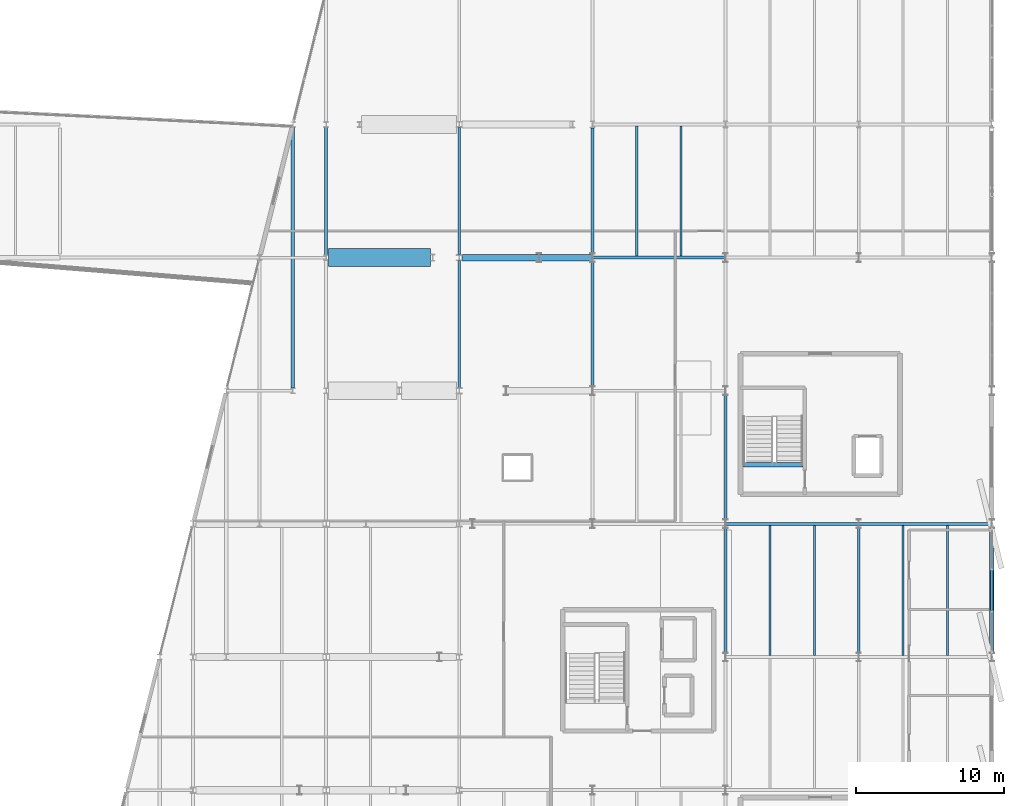
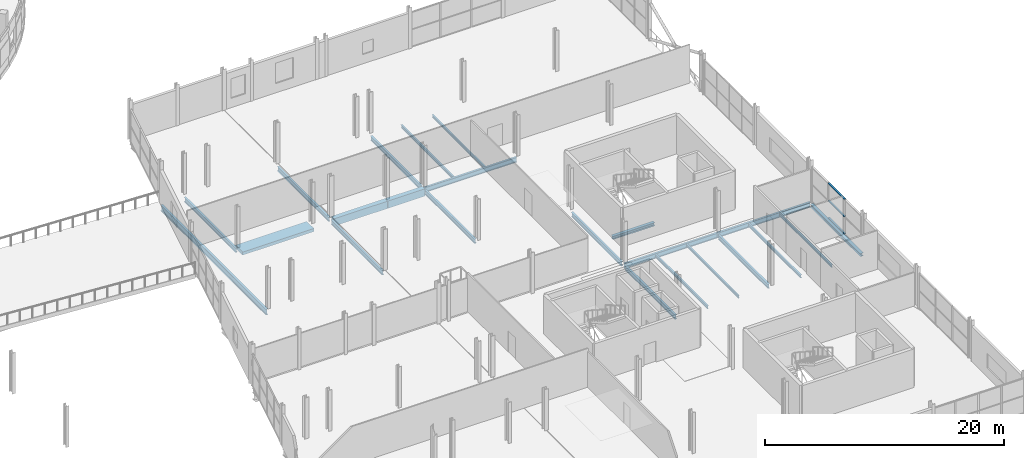
# One storey, part 91 of 135: 23 beams, 3 members, 1 element without a shape of its own.
"""IFC4 building model written with IfcOpenShell, lengths in metres."""

import ifcopenshell
import ifcopenshell.guid

model = None  # the IFC model being written
_history = None  # IfcOwnerHistory: only IFC2X3 demands one
_inside = {}  # id of a spatial element -> (the spatial element, [elements in it])
_under = {}  # id of a project, library or spatial element -> (it, [spatial elements below it])
_declared = {}  # id of a project -> (the project, [libraries it declares])
_typed = {}  # id of a type object -> (the type object, [elements of that type])
_made_of = {}  # id of a material, layer set ... -> (it, [elements and type objects made of it])


def new_model(schema):
    """Start an empty IFC model of exactly this schema.

    Asked for "IFC4X3", IfcOpenShell would pick the latest addendum, in which some entities
    have other attributes; the version numbers below select the first issue.
    IFC2X3 requires an IfcOwnerHistory on every rooted entity: one is made here for all.
    """
    global model, _history
    if schema == "IFC4X3":
        model = ifcopenshell.file(schema_version=(4, 3, 0, 0))
    else:
        model = ifcopenshell.file(schema=schema)
    _inside.clear()
    _under.clear()
    _declared.clear()
    _typed.clear()
    _made_of.clear()
    _history = None
    if model.schema == "IFC2X3":
        org = make("IfcOrganization", Name="unknown")
        user = make(
            "IfcPersonAndOrganization",
            ThePerson=make("IfcPerson", FamilyName="unknown"),
            TheOrganization=org,
        )
        app = make(
            "IfcApplication",
            ApplicationDeveloper=org,
            Version="unknown",
            ApplicationFullName="unknown",
            ApplicationIdentifier="unknown",
        )
        _history = make(
            "IfcOwnerHistory",
            OwningUser=user,
            OwningApplication=app,
            ChangeAction="ADDED",
            CreationDate=0,
        )
    return model


def make(cls, **values):
    """One entity of the class cls with the attributes given. An attribute that is None is left unset."""
    return model.create_entity(
        cls, **{name: value for name, value in values.items() if value is not None}
    )


def rooted(cls, **values):
    """An entity with a GlobalId (a new one), such as an element, a storey or a relation."""
    return make(cls, GlobalId=ifcopenshell.guid.new(), OwnerHistory=_history, **values)


def si_unit(unit_type, name, prefix=None):
    """IfcSIUnit, for example si_unit("LENGTHUNIT", "METRE", prefix="MILLI")."""
    return make("IfcSIUnit", UnitType=unit_type, Prefix=prefix, Name=name)


def assignment(units):
    """IfcUnitAssignment: the units of a project."""
    return None if units is None else make("IfcUnitAssignment", Units=units)


def point(xyz):
    """IfcCartesianPoint."""
    return None if xyz is None else make("IfcCartesianPoint", Coordinates=xyz)


def direction(xyz):
    """IfcDirection."""
    return None if xyz is None else make("IfcDirection", DirectionRatios=xyz)


def frame(location, z_axis=None, x_axis=None):
    """IfcAxis2Placement3D, a coordinate frame: its origin and axes. An axis left out is left unset."""
    return make(
        "IfcAxis2Placement3D",
        Location=point(location),
        Axis=direction(z_axis),
        RefDirection=direction(x_axis),
    )


def frame_2d(location, x_axis=None):
    """IfcAxis2Placement2D, a coordinate frame in the plane: its origin and x axis."""
    return make(
        "IfcAxis2Placement2D", Location=point(location), RefDirection=direction(x_axis)
    )


def origin():
    """The frame at (0, 0, 0) with its axes left unset."""
    return frame((0.0, 0.0, 0.0))


def origin_2d():
    """The frame at (0, 0) in the plane with its x axis left unset."""
    return frame_2d((0.0, 0.0))


def place(relative_to, where):
    """IfcLocalPlacement: puts the frame where relative to a parent placement (None: the world)."""
    return make(
        "IfcLocalPlacement", PlacementRelTo=relative_to, RelativePlacement=where
    )


def context(
    kind, dimensions, precision=None, world=None, true_north=None, identifier=None
):
    """IfcGeometricRepresentationContext, for example the 3D "Model" context."""
    return make(
        "IfcGeometricRepresentationContext",
        ContextIdentifier=identifier,
        ContextType=kind,
        CoordinateSpaceDimension=dimensions,
        Precision=precision,
        WorldCoordinateSystem=world,
        TrueNorth=true_north,
    )


def subcontext(parent, identifier, kind, view, scale=None):
    """IfcGeometricRepresentationSubContext, for example "Body" below "Model"."""
    return make(
        "IfcGeometricRepresentationSubContext",
        ContextIdentifier=identifier,
        ContextType=kind,
        ParentContext=parent,
        TargetScale=scale,
        TargetView=view,
    )


def project(units=None, contexts=None):
    """IfcProject with its units and contexts."""
    return rooted(
        "IfcProject",
        Name="project",
        RepresentationContexts=contexts,
        UnitsInContext=assignment(units),
    )


def spatial(cls, under=None, at=None, **own):
    """A site, building, storey or space (cls), placed at a placement, below another one or the project."""
    s = rooted(cls, ObjectPlacement=at, **own)
    if under is not None:
        _under.setdefault(under.id(), (under, []))[1].append(s)
    return s


def profile(cls, at=None, kind="AREA", **sizes):
    """A parametric profile (cls). Its sizes go by their IFC names, for example OverallWidth=200.0."""
    return make(cls, ProfileType=kind, Position=at, **sizes)


def rectangle(**sizes):
    """IfcRectangleProfileDef."""
    return profile("IfcRectangleProfileDef", **sizes)


def hollow_rectangle(**sizes):
    """IfcRectangleHollowProfileDef."""
    return profile("IfcRectangleHollowProfileDef", **sizes)


def i_section(**sizes):
    """IfcIShapeProfileDef."""
    return profile("IfcIShapeProfileDef", **sizes)


def extrude(swept, where, along, depth):
    """IfcExtrudedAreaSolid: the profile swept, set in the frame where, extruded along a direction by depth."""
    return make(
        "IfcExtrudedAreaSolid",
        SweptArea=swept,
        Position=where,
        ExtrudedDirection=direction(along),
        Depth=depth,
    )


def shape(context_of_items, identifier, shape_type, items):
    """IfcShapeRepresentation: the items that make up one representation, for example the "Body"."""
    return make(
        "IfcShapeRepresentation",
        ContextOfItems=context_of_items,
        RepresentationIdentifier=identifier,
        RepresentationType=shape_type,
        Items=items,
    )


def material(Name=None, Category=None):
    """IfcMaterial."""
    return make("IfcMaterial", Name=Name, Category=Category)


def layer(
    of_material, thickness, ventilated=None, Name=None, Category=None, Priority=None
):
    """IfcMaterialLayer: one layer of a wall or slab, of a material (None: an air gap)."""
    return make(
        "IfcMaterialLayer",
        Material=of_material,
        LayerThickness=thickness,
        IsVentilated=ventilated,
        Name=Name,
        Category=Category,
        Priority=Priority,
    )


def layer_set(layers, Name=None):
    """IfcMaterialLayerSet."""
    return make("IfcMaterialLayerSet", MaterialLayers=layers, LayerSetName=Name)


def material_profile(
    of_material, cross_section, Name=None, Category=None, Priority=None
):
    """IfcMaterialProfile: a cross section and its material."""
    return make(
        "IfcMaterialProfile",
        Name=Name,
        Material=of_material,
        Profile=cross_section,
        Priority=Priority,
        Category=Category,
    )


def profile_set(profiles, Name=None, composite=None):
    """IfcMaterialProfileSet."""
    return make(
        "IfcMaterialProfileSet",
        Name=Name,
        MaterialProfiles=profiles,
        CompositeProfile=composite,
    )


def made_of(thing, what):
    """Note that an element or type object is made of a material, layer set ...; save() writes the relation."""
    if what is not None:
        _made_of.setdefault(what.id(), (what, []))[1].append(thing)
    return thing


def type_object(cls, material=None, **own):
    """A type object (cls), such as IfcWallType, which elements share."""
    return made_of(rooted(cls, **own), material)


def element(
    cls,
    number,
    at=None,
    inside=None,
    cuts=None,
    type_object=None,
    material=None,
    context=None,
    identifier="Body",
    shape_type=None,
    held_by="IfcProductDefinitionShape",
    body=None,
    shapes=None,
    **own,
):
    """One element of the class cls, such as IfcWall. Its Tag is "e" and its number.

    at: its placement. inside: the storey or other place that contains it. cuts: it is an
    opening in that element (IfcRelVoidsElement). A single representation is given by context,
    identifier, shape_type and body (its items); several are given by shapes. held_by: the class
    of the entity that holds the representations. save() writes the other relations.
    """
    e = rooted(cls, Tag="e%d" % number, ObjectPlacement=at, **own)
    if body is not None:
        shapes = [shape(context, identifier, shape_type, body)]
    if shapes is not None:
        e.Representation = make(held_by, Representations=shapes)
    if inside is not None:
        _inside.setdefault(inside.id(), (inside, []))[1].append(e)
    if cuts is not None:
        rooted(
            "IfcRelVoidsElement", RelatingBuildingElement=cuts, RelatedOpeningElement=e
        )
    if type_object is not None:
        _typed.setdefault(type_object.id(), (type_object, []))[1].append(e)
    return made_of(e, material)


def aggregate(whole, parts):
    """IfcRelAggregates: a whole, such as a stair, and the parts it consists of."""
    return rooted("IfcRelAggregates", RelatingObject=whole, RelatedObjects=parts)


def save(model, path):
    """Write the relations noted so far, then the file.

    IfcRelAggregates (storeys below a building ...), IfcRelContainedInSpatialStructure (elements
    in a storey), IfcRelDefinesByType, IfcRelAssociatesMaterial and IfcRelDeclares: one each for
    every whole, place, type object, material and project.
    """
    for whole, parts in _under.values():
        aggregate(whole, parts)
    for where, things in _inside.values():
        rooted(
            "IfcRelContainedInSpatialStructure",
            RelatedElements=things,
            RelatingStructure=where,
        )
    for kind, things in _typed.values():
        rooted("IfcRelDefinesByType", RelatedObjects=things, RelatingType=kind)
    for what, things in _made_of.values():
        rooted("IfcRelAssociatesMaterial", RelatedObjects=things, RelatingMaterial=what)
    for by, libraries in _declared.values():
        rooted("IfcRelDeclares", RelatingContext=by, RelatedDefinitions=libraries)
    model.write(path)


model = new_model("IFC4")

# Units and contexts
model_context = context("Model", 3, precision=1e-05, world=origin(), true_north=direction((0.0, 1.0)))
body_context = subcontext(model_context, "Body", "Model", "MODEL_VIEW")
ifc_project = project(units=[si_unit("LENGTHUNIT", "METRE"), si_unit("AREAUNIT", "SQUARE_METRE"), si_unit("VOLUMEUNIT", "CUBIC_METRE"), si_unit("PLANEANGLEUNIT", "RADIAN"), si_unit("MASSUNIT", "GRAM", prefix="KILO")], contexts=[model_context])

# Site, building, storey
site_placement = place(None, origin())
site = spatial("IfcSite", under=ifc_project, at=site_placement, CompositionType="ELEMENT")
building_placement = place(site_placement, origin())
building = spatial("IfcBuilding", under=site, at=building_placement, Name="Deido Ridge Mobility Hub", CompositionType="ELEMENT")
storey_placement = place(building_placement, frame((0.0, 0.0, 4.199951171875)))
storey = spatial("IfcBuildingStorey", under=building, at=storey_placement, Name="L01", CompositionType="ELEMENT", Elevation=4.199951171875)

# Beams
ifc_material_1 = material(Name="Steel S355J2 EN 10025-2", Category="steel")
ifc_material_profile_1 = material_profile(ifc_material_1, i_section(OverallWidth=0.300048828125, OverallDepth=0.330078125, WebThickness=0.009521484375, FlangeThickness=0.0166015625, FilletRadius=0.027099609375, at=origin_2d()), Name="HEA 340")
ifc_profile_set_1 = profile_set([ifc_material_profile_1], Name="Steel S355J2 EN 10025-2")
beam_type_1 = type_object("IfcBeamType", Name="BM-HEA340", PredefinedType="BEAM", material=ifc_profile_set_1)
beam_1_placement = place(storey_placement, frame((163.16259765625, 40.0, -0.4150390625), z_axis=(1.0, 0.0, 0.0), x_axis=(0.0, 1.0, 0.0)))
element("IfcBeam", 1, at=beam_1_placement, inside=storey, type_object=beam_type_1, Name="C2 stair landing trimmer beam B6", PredefinedType="BEAM", context=body_context, shape_type="SweptSolid", body=[
    extrude(i_section(OverallWidth=0.300048828125, OverallDepth=0.330078125, WebThickness=0.009521484375, FlangeThickness=0.0166015625, FilletRadius=0.027099609375, at=origin_2d()), origin(), (0.0, 0.0, 1.0), 4.072509765625),
])
ifc_material_profile_2 = material_profile(ifc_material_1, i_section(OverallWidth=0.18994140625, OverallDepth=0.449951171875, WebThickness=0.009521484375, FlangeThickness=0.0146484375, FilletRadius=0.02099609375, at=origin_2d()), Name="IPE 450")
ifc_profile_set_2 = profile_set([ifc_material_profile_2], Name="Steel S355J2 EN 10025-2")
beam_type_2 = type_object("IfcBeamType", Name="BM-IPE450", PredefinedType="BEAM", material=ifc_profile_set_2)
beam_2_placement = place(storey_placement, frame((135.0, 54.179931640625, -0.474853515625), z_axis=(0.0, 1.0, 0.0), x_axis=(-1.0, 0.0, 0.0)))
element("IfcBeam", 2, at=beam_2_placement, inside=storey, type_object=beam_type_2, Name="Floor beam B4", PredefinedType="BEAM", context=body_context, shape_type="SweptSolid", body=[
    extrude(i_section(OverallWidth=0.18994140625, OverallDepth=0.449951171875, WebThickness=0.009521484375, FlangeThickness=0.0146484375, FilletRadius=0.02099609375, at=origin_2d()), origin(), (0.0, 0.0, 1.0), 8.64013671875),
])
for number, where, z_axis, x_axis, name in (
    (3, (144.0, 45.196533203125, -0.474853515625), (0.0, 1.0, 0.0), (-1.0, 0.0, 0.0), "Floor beam B4"),
    (4, (144.0, 54.196533203125, -0.474853515625), (0.0, 1.0, 0.0), (-1.0, 0.0, 0.0), "Floor beam B4"),
):
    element("IfcBeam", number, at=place(storey_placement, frame(where, z_axis=z_axis, x_axis=x_axis)), inside=storey, type_object=beam_type_2, Name=name, PredefinedType="BEAM", context=body_context, shape_type="SweptSolid", body=[
        extrude(i_section(OverallWidth=0.18994140625, OverallDepth=0.449951171875, WebThickness=0.009521484375, FlangeThickness=0.0146484375, FilletRadius=0.02099609375, at=origin_2d()), origin(), (0.0, 0.0, 1.0), 8.60693359375),
    ])
beam_3_placement = place(storey_placement, frame((153.0, 45.300048828125, -0.474853515625), z_axis=(0.0, 1.0, 0.0), x_axis=(-1.0, 0.0, 0.0)))
element("IfcBeam", 5, at=beam_3_placement, inside=storey, type_object=beam_type_2, Name="Floor beam B4", PredefinedType="BEAM", context=body_context, shape_type="SweptSolid", body=[
    extrude(i_section(OverallWidth=0.18994140625, OverallDepth=0.449951171875, WebThickness=0.009521484375, FlangeThickness=0.0146484375, FilletRadius=0.02099609375, at=origin_2d()), origin(), (0.0, 0.0, 1.0), 8.39990234375),
])
beam_4_placement = place(storey_placement, frame((153.0, 54.300048828125, -0.474853515625), z_axis=(0.0, 1.0, 0.0), x_axis=(-1.0, 0.0, 0.0)))
element("IfcBeam", 6, at=beam_4_placement, inside=storey, type_object=beam_type_2, Name="Floor beam B4", PredefinedType="BEAM", context=body_context, shape_type="SweptSolid", body=[
    extrude(i_section(OverallWidth=0.18994140625, OverallDepth=0.449951171875, WebThickness=0.009521484375, FlangeThickness=0.0146484375, FilletRadius=0.02099609375, at=origin_2d()), origin(), (0.0, 0.0, 1.0), 8.474853515625),
])
for number, where, z_axis, x_axis, name in (
    (7, (162.0, 27.300048828125, -0.474853515625), (0.0, 1.0, 0.0), (-1.0, 0.0, 0.0), "Floor beam B4"),
    (8, (162.0, 36.300048828125, -0.474853515625), (0.0, 1.0, 0.0), (-1.0, 0.0, 0.0), "Floor beam B4"),
    (9, (171.0, 27.300048828125, -0.474853515625), (0.0, 1.0, 0.0), (-1.0, 0.0, 0.0), "Floor beam B4"),
):
    element("IfcBeam", number, at=place(storey_placement, frame(where, z_axis=z_axis, x_axis=x_axis)), inside=storey, type_object=beam_type_2, Name=name, PredefinedType="BEAM", context=body_context, shape_type="SweptSolid", body=[
        extrude(i_section(OverallWidth=0.18994140625, OverallDepth=0.449951171875, WebThickness=0.009521484375, FlangeThickness=0.0146484375, FilletRadius=0.02099609375, at=origin_2d()), origin(), (0.0, 0.0, 1.0), 8.39990234375),
    ])
ifc_material_profile_3 = material_profile(ifc_material_1, i_section(OverallWidth=0.199951171875, OverallDepth=0.5, WebThickness=0.01025390625, FlangeThickness=0.01611328125, FilletRadius=0.02099609375, at=origin_2d()), Name="IPE 500")
ifc_profile_set_3 = profile_set([ifc_material_profile_3], Name="Steel S355J2 EN 10025-2")
beam_type_3 = type_object("IfcBeamType", Name="BM-IPE500", PredefinedType="BEAM", material=ifc_profile_set_3)
for number, where, z_axis, x_axis, name in (
    (10, (162.0078125, 36.0, -0.5), (1.0, 0.0, 0.0), (0.0, 1.0, 0.0), "Floor beam B3"),
    (11, (171.0078125, 36.0, -0.5), (1.0, 0.0, 0.0), (0.0, 1.0, 0.0), "Floor beam B3"),
    (12, (153.0078125, 54.0, -0.5), (1.0, 0.0, 0.0), (0.0, 1.0, 0.0), "Floor beam B3"),
):
    element("IfcBeam", number, at=place(storey_placement, frame(where, z_axis=z_axis, x_axis=x_axis)), inside=storey, type_object=beam_type_3, Name=name, PredefinedType="BEAM", context=body_context, shape_type="SweptSolid", body=[
        extrude(i_section(OverallWidth=0.199951171875, OverallDepth=0.5, WebThickness=0.01025390625, FlangeThickness=0.01611328125, FilletRadius=0.02099609375, at=origin_2d()), origin(), (0.0, 0.0, 1.0), 8.984375),
    ])
ifc_material_profile_4 = material_profile(ifc_material_1, i_section(OverallWidth=0.219970703125, OverallDepth=0.60009765625, WebThickness=0.011962890625, FlangeThickness=0.01904296875, FilletRadius=0.02392578125, at=origin_2d()), Name="IPE 600")
ifc_profile_set_4 = profile_set([ifc_material_profile_4], Name="Steel S355J2 EN 10025-2")
beam_type_4 = type_object("IfcBeamType", Name="BM-IPE600", PredefinedType="BEAM", material=ifc_profile_set_4)
beam_5_placement = place(storey_placement, frame((132.75, 45.179931640625, -0.550048828125), z_axis=(0.0, 1.0, 0.0), x_axis=(-1.0, 0.0, 0.0)))
element("IfcBeam", 13, at=beam_5_placement, inside=storey, type_object=beam_type_4, Name="Floor beam B1", PredefinedType="BEAM", context=body_context, shape_type="SweptSolid", body=[
    extrude(i_section(OverallWidth=0.219970703125, OverallDepth=0.60009765625, WebThickness=0.011962890625, FlangeThickness=0.01904296875, FilletRadius=0.02392578125, at=origin_2d()), origin(), (0.0, 0.0, 1.0), 17.64013671875),
])
ifc_material_2 = material(Name="Concrete C40/50", Category="concrete")
ifc_material_profile_5 = material_profile(ifc_material_2, rectangle(XDim=0.449951171875, YDim=0.75, at=origin_2d()), Name="RC BEAM 450x750")
ifc_profile_set_5 = profile_set([ifc_material_profile_5], Name="Concrete C40/50")
beam_type_5 = type_object("IfcBeamType", Name="BM-RC450X750", PredefinedType="BEAM", material=ifc_profile_set_5)
beam_6_placement = place(storey_placement, frame((144.199462890625, 54.0, -0.625), z_axis=(1.0, 0.0, 0.0), x_axis=(0.0, 1.0, 0.0)))
element("IfcBeam", 14, at=beam_6_placement, inside=storey, type_object=beam_type_5, Name="Concrete plant girder RCB1", PredefinedType="BEAM", context=body_context, shape_type="SweptSolid", body=[
    extrude(rectangle(XDim=0.449951171875, YDim=0.75, at=origin_2d()), origin(), (0.0, 0.0, 1.0), 5.19287109375),
])
beam_7_placement = place(storey_placement, frame((149.40771484375, 54.0, -0.625), z_axis=(1.0, 0.0, 0.0), x_axis=(0.0, 1.0, 0.0)))
element("IfcBeam", 15, at=beam_7_placement, inside=storey, type_object=beam_type_5, Name="Concrete plant girder RCB1", PredefinedType="BEAM", context=body_context, shape_type="SweptSolid", body=[
    extrude(rectangle(XDim=0.449951171875, YDim=0.75, at=origin_2d()), origin(), (0.0, 0.0, 1.0), 3.58447265625),
])
ifc_material_3 = material(Name="Precast concrete C40/50", Category="concrete")
ifc_material_profile_6 = material_profile(ifc_material_3, rectangle(XDim=1.199951171875, YDim=0.320068359375, at=origin_2d()), Name="RC HC 1200x320")
ifc_profile_set_6 = profile_set([ifc_material_profile_6], Name="Precast concrete C40/50")
beam_type_6 = type_object("IfcBeamType", Name="HC-1200X320", PredefinedType="HOLLOWCORE", material=ifc_profile_set_6)
beam_8_placement = place(storey_placement, frame((135.14990234375, 54.0, -0.409912109375), z_axis=(1.0, 0.0, 0.0), x_axis=(0.0, 1.0, 0.0)))
element("IfcBeam", 16, at=beam_8_placement, inside=storey, type_object=beam_type_6, Name="Precast hollowcore beam HC1", PredefinedType="HOLLOWCORE", context=body_context, shape_type="SweptSolid", body=[
    extrude(rectangle(XDim=1.199951171875, YDim=0.320068359375, at=origin_2d()), origin(), (0.0, 0.0, 1.0), 6.900146484375),
])
ifc_material_profile_7 = material_profile(ifc_material_1, i_section(OverallWidth=0.135009765625, OverallDepth=0.27001953125, WebThickness=0.006591796875, FlangeThickness=0.01025390625, FilletRadius=0.014892578125, at=origin_2d()), Name="IPE 270")
ifc_profile_set_7 = profile_set([ifc_material_profile_7], Name="Steel S355J2 EN 10025-2")
beam_type_7 = type_object("IfcBeamType", Name="JST-IPE270", PredefinedType="JOIST", material=ifc_profile_set_7)
for number, where, z_axis, x_axis, name in (
    (17, (168.0, 27.10009765625, -0.385009765625), (0.0, 1.0, 0.0), (-1.0, 0.0, 0.0), "Composite joist J4"),
    (18, (177.0, 27.10009765625, -0.385009765625), (0.0, 1.0, 0.0), (-1.0, 0.0, 0.0), "Composite joist J4"),
    (19, (159.0, 54.10009765625, -0.385009765625), (0.0, 1.0, 0.0), (-1.0, 0.0, 0.0), "Composite joist J4"),
):
    element("IfcBeam", number, at=place(storey_placement, frame(where, z_axis=z_axis, x_axis=x_axis)), inside=storey, type_object=beam_type_7, Name=name, PredefinedType="JOIST", context=body_context, shape_type="SweptSolid", body=[
        extrude(i_section(OverallWidth=0.135009765625, OverallDepth=0.27001953125, WebThickness=0.006591796875, FlangeThickness=0.01025390625, FilletRadius=0.014892578125, at=origin_2d()), origin(), (0.0, 0.0, 1.0), 8.7998046875),
    ])
ifc_material_profile_8 = material_profile(ifc_material_1, i_section(OverallWidth=0.14990234375, OverallDepth=0.300048828125, WebThickness=0.007080078125, FlangeThickness=0.0107421875, FilletRadius=0.014892578125, at=origin_2d()), Name="IPE 300")
ifc_profile_set_8 = profile_set([ifc_material_profile_8], Name="Steel S355J2 EN 10025-2")
beam_type_8 = type_object("IfcBeamType", Name="JST-IPE300", PredefinedType="JOIST", material=ifc_profile_set_8)
for number, where, z_axis, x_axis, name in (
    (20, (165.0, 27.10009765625, -0.39990234375), (0.0, 1.0, 0.0), (-1.0, 0.0, 0.0), "Composite joist J3"),
    (21, (174.0, 27.10009765625, -0.39990234375), (0.0, 1.0, 0.0), (-1.0, 0.0, 0.0), "Composite joist J3"),
    (22, (156.0, 54.10009765625, -0.39990234375), (0.0, 1.0, 0.0), (-1.0, 0.0, 0.0), "Composite joist J3"),
):
    element("IfcBeam", number, at=place(storey_placement, frame(where, z_axis=z_axis, x_axis=x_axis)), inside=storey, type_object=beam_type_8, Name=name, PredefinedType="JOIST", context=body_context, shape_type="SweptSolid", body=[
        extrude(i_section(OverallWidth=0.14990234375, OverallDepth=0.300048828125, WebThickness=0.007080078125, FlangeThickness=0.0107421875, FilletRadius=0.014892578125, at=origin_2d()), origin(), (0.0, 0.0, 1.0), 8.7998046875),
    ])

# Curtain wall, members
ifc_material_4 = material(Name="Anodised aluminium EN AW-6063 T6", Category="aluminium")
ifc_layer = layer(ifc_material_4, 0.2548828125, Name="Anodised aluminium EN AW-6063 T6")
ifc_layer_set = layer_set([ifc_layer], Name="Anodised aluminium EN AW-6063 T6")
curtain_wall_type = type_object("IfcCurtainWallType", Name="CW-UF-7", PredefinedType="USERDEFINED", material=ifc_layer_set)
curtain_wall_placement = place(storey_placement, origin())
curtain_wall = element("IfcCurtainWall", 23, at=curtain_wall_placement, inside=storey, type_object=curtain_wall_type, Name="Unitised curtain wall CW7", ObjectType="UNITISED FACADE", PredefinedType="USERDEFINED")
ifc_material_profile_9 = material_profile(ifc_material_4, hollow_rectangle(XDim=0.1650390625, YDim=0.080078125, WallThickness=0.00390625, at=origin_2d()), Name="RHS 165x80x4")
ifc_profile_set_9 = profile_set([ifc_material_profile_9], Name="Anodised aluminium EN AW-6063 T6")
member_type = type_object("IfcMemberType", Name="MEM-TRN-165X80", PredefinedType="USERDEFINED", material=ifc_profile_set_9)
member_1_placement = place(storey_placement, frame((180.0, 30.139892578125, 0.0400390625), z_axis=(0.0, 1.0, 0.0), x_axis=(-1.0, 0.0, 0.0)))
member_1 = element("IfcMember", 24, at=member_1_placement, type_object=member_type, Name="CW7 transom 2.1", ObjectType="TRANSOM", PredefinedType="USERDEFINED", context=body_context, shape_type="SweptSolid", body=[
    extrude(hollow_rectangle(XDim=0.1650390625, YDim=0.080078125, WallThickness=0.00390625, at=origin_2d()), origin(), (0.0, 0.0, 1.0), 2.72021484375),
])
member_2_placement = place(storey_placement, frame((180.0, 30.139892578125, 1.800048828125), z_axis=(0.0, 1.0, 0.0), x_axis=(-1.0, 0.0, 0.0)))
member_2 = element("IfcMember", 25, at=member_2_placement, type_object=member_type, Name="CW7 transom 2.2", ObjectType="TRANSOM", PredefinedType="USERDEFINED", context=body_context, shape_type="SweptSolid", body=[
    extrude(hollow_rectangle(XDim=0.1650390625, YDim=0.080078125, WallThickness=0.00390625, at=origin_2d()), origin(), (0.0, 0.0, 1.0), 2.72021484375),
])
member_3_placement = place(storey_placement, frame((180.0, 30.139892578125, 3.56005859375), z_axis=(0.0, 1.0, 0.0), x_axis=(-1.0, 0.0, 0.0)))
member_3 = element("IfcMember", 26, at=member_3_placement, type_object=member_type, Name="CW7 transom 2.3", ObjectType="TRANSOM", PredefinedType="USERDEFINED", context=body_context, shape_type="SweptSolid", body=[
    extrude(hollow_rectangle(XDim=0.1650390625, YDim=0.080078125, WallThickness=0.00390625, at=origin_2d()), origin(), (0.0, 0.0, 1.0), 2.72021484375),
])
aggregate(curtain_wall, [member_1, member_2, member_3])

# Beam
ifc_material_profile_10 = material_profile(ifc_material_1, i_section(OverallWidth=0.300048828125, OverallDepth=0.300048828125, WebThickness=0.010986328125, FlangeThickness=0.01904296875, FilletRadius=0.027099609375, at=origin_2d()), Name="HEB 300")
ifc_profile_set_10 = profile_set([ifc_material_profile_10], Name="Steel S355J2 EN 10025-2")
beam_type_9 = type_object("IfcBeamType", Name="SPD-HEB300", PredefinedType="SPANDREL", material=ifc_profile_set_10)
beam_9_placement = place(storey_placement, frame((180.0, 27.300048828125, -0.39990234375), z_axis=(0.0, 1.0, 0.0), x_axis=(-1.0, 0.0, 0.0)))
element("IfcBeam", 27, at=beam_9_placement, inside=storey, type_object=beam_type_9, Name="Floor beam SP1", PredefinedType="SPANDREL", context=body_context, shape_type="SweptSolid", body=[
    extrude(i_section(OverallWidth=0.300048828125, OverallDepth=0.300048828125, WebThickness=0.010986328125, FlangeThickness=0.01904296875, FilletRadius=0.027099609375, at=origin_2d()), origin(), (0.0, 0.0, 1.0), 8.39990234375),
])

save(model, "model.ifc")
